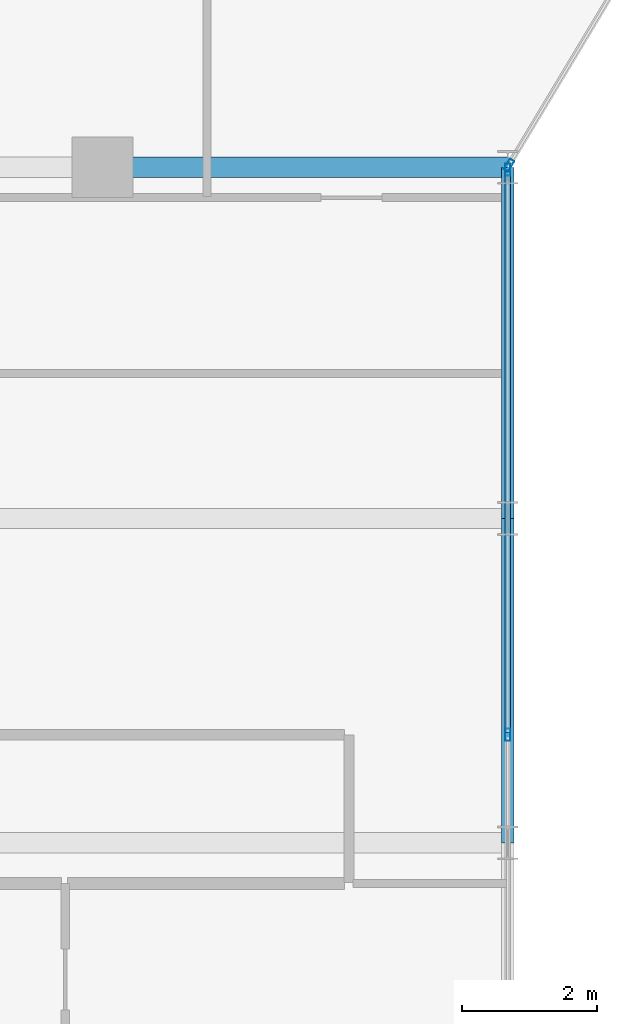
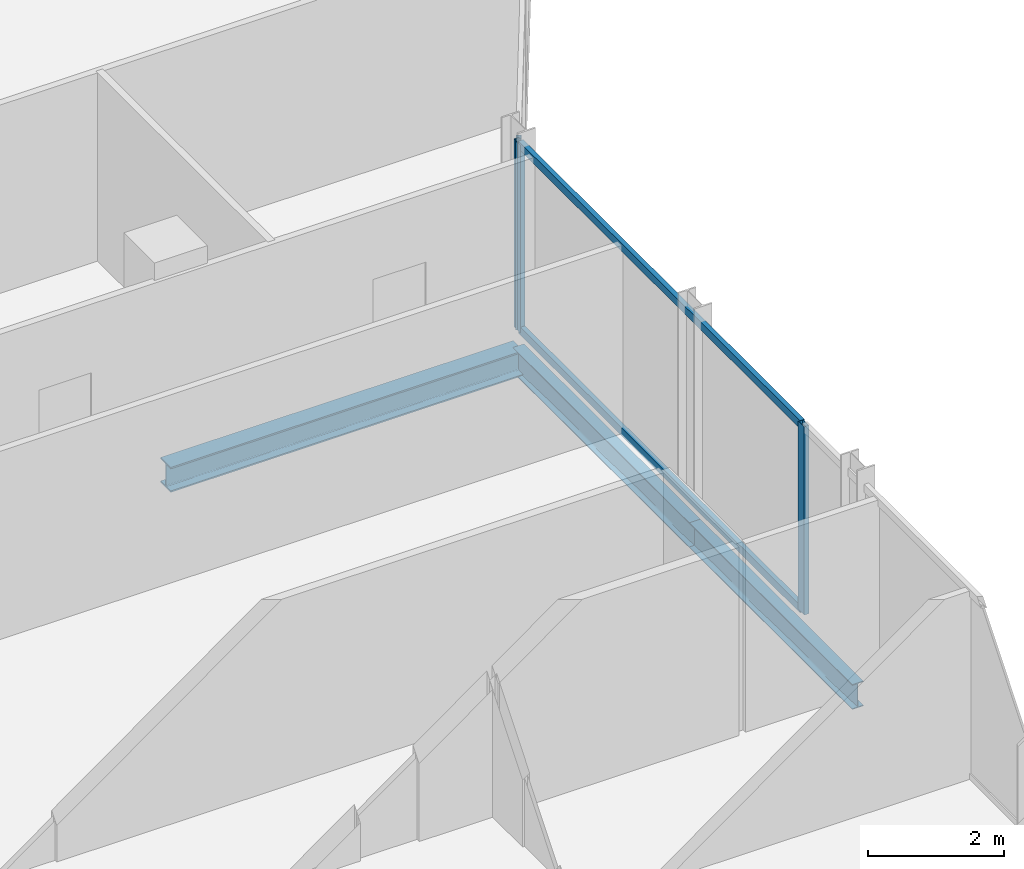
# One storey, part 13 of 31: 5 members, 3 beams, 2 elements without a shape of their own.
"""IFC4 building model written with IfcOpenShell, lengths in metres."""

import ifcopenshell
import ifcopenshell.guid

model = None  # the IFC model being written
_history = None  # IfcOwnerHistory: only IFC2X3 demands one
_inside = {}  # id of a spatial element -> (the spatial element, [elements in it])
_under = {}  # id of a project, library or spatial element -> (it, [spatial elements below it])
_declared = {}  # id of a project -> (the project, [libraries it declares])
_typed = {}  # id of a type object -> (the type object, [elements of that type])
_made_of = {}  # id of a material, layer set ... -> (it, [elements and type objects made of it])


def new_model(schema):
    """Start an empty IFC model of exactly this schema.

    Asked for "IFC4X3", IfcOpenShell would pick the latest addendum, in which some entities
    have other attributes; the version numbers below select the first issue.
    IFC2X3 requires an IfcOwnerHistory on every rooted entity: one is made here for all.
    """
    global model, _history
    if schema == "IFC4X3":
        model = ifcopenshell.file(schema_version=(4, 3, 0, 0))
    else:
        model = ifcopenshell.file(schema=schema)
    _inside.clear()
    _under.clear()
    _declared.clear()
    _typed.clear()
    _made_of.clear()
    _history = None
    if model.schema == "IFC2X3":
        org = make("IfcOrganization", Name="unknown")
        user = make(
            "IfcPersonAndOrganization",
            ThePerson=make("IfcPerson", FamilyName="unknown"),
            TheOrganization=org,
        )
        app = make(
            "IfcApplication",
            ApplicationDeveloper=org,
            Version="unknown",
            ApplicationFullName="unknown",
            ApplicationIdentifier="unknown",
        )
        _history = make(
            "IfcOwnerHistory",
            OwningUser=user,
            OwningApplication=app,
            ChangeAction="ADDED",
            CreationDate=0,
        )
    return model


def make(cls, **values):
    """One entity of the class cls with the attributes given. An attribute that is None is left unset."""
    return model.create_entity(
        cls, **{name: value for name, value in values.items() if value is not None}
    )


def rooted(cls, **values):
    """An entity with a GlobalId (a new one), such as an element, a storey or a relation."""
    return make(cls, GlobalId=ifcopenshell.guid.new(), OwnerHistory=_history, **values)


def si_unit(unit_type, name, prefix=None):
    """IfcSIUnit, for example si_unit("LENGTHUNIT", "METRE", prefix="MILLI")."""
    return make("IfcSIUnit", UnitType=unit_type, Prefix=prefix, Name=name)


def assignment(units):
    """IfcUnitAssignment: the units of a project."""
    return None if units is None else make("IfcUnitAssignment", Units=units)


def point(xyz):
    """IfcCartesianPoint."""
    return None if xyz is None else make("IfcCartesianPoint", Coordinates=xyz)


def direction(xyz):
    """IfcDirection."""
    return None if xyz is None else make("IfcDirection", DirectionRatios=xyz)


def frame(location, z_axis=None, x_axis=None):
    """IfcAxis2Placement3D, a coordinate frame: its origin and axes. An axis left out is left unset."""
    return make(
        "IfcAxis2Placement3D",
        Location=point(location),
        Axis=direction(z_axis),
        RefDirection=direction(x_axis),
    )


def frame_2d(location, x_axis=None):
    """IfcAxis2Placement2D, a coordinate frame in the plane: its origin and x axis."""
    return make(
        "IfcAxis2Placement2D", Location=point(location), RefDirection=direction(x_axis)
    )


def origin():
    """The frame at (0, 0, 0) with its axes left unset."""
    return frame((0.0, 0.0, 0.0))


def origin_2d():
    """The frame at (0, 0) in the plane with its x axis left unset."""
    return frame_2d((0.0, 0.0))


def place(relative_to, where):
    """IfcLocalPlacement: puts the frame where relative to a parent placement (None: the world)."""
    return make(
        "IfcLocalPlacement", PlacementRelTo=relative_to, RelativePlacement=where
    )


def context(
    kind, dimensions, precision=None, world=None, true_north=None, identifier=None
):
    """IfcGeometricRepresentationContext, for example the 3D "Model" context."""
    return make(
        "IfcGeometricRepresentationContext",
        ContextIdentifier=identifier,
        ContextType=kind,
        CoordinateSpaceDimension=dimensions,
        Precision=precision,
        WorldCoordinateSystem=world,
        TrueNorth=true_north,
    )


def subcontext(parent, identifier, kind, view, scale=None):
    """IfcGeometricRepresentationSubContext, for example "Body" below "Model"."""
    return make(
        "IfcGeometricRepresentationSubContext",
        ContextIdentifier=identifier,
        ContextType=kind,
        ParentContext=parent,
        TargetScale=scale,
        TargetView=view,
    )


def project(units=None, contexts=None):
    """IfcProject with its units and contexts."""
    return rooted(
        "IfcProject",
        Name="project",
        RepresentationContexts=contexts,
        UnitsInContext=assignment(units),
    )


def spatial(cls, under=None, at=None, **own):
    """A site, building, storey or space (cls), placed at a placement, below another one or the project."""
    s = rooted(cls, ObjectPlacement=at, **own)
    if under is not None:
        _under.setdefault(under.id(), (under, []))[1].append(s)
    return s


def profile(cls, at=None, kind="AREA", **sizes):
    """A parametric profile (cls). Its sizes go by their IFC names, for example OverallWidth=200.0."""
    return make(cls, ProfileType=kind, Position=at, **sizes)


def hollow_rectangle(**sizes):
    """IfcRectangleHollowProfileDef."""
    return profile("IfcRectangleHollowProfileDef", **sizes)


def i_section(**sizes):
    """IfcIShapeProfileDef."""
    return profile("IfcIShapeProfileDef", **sizes)


def extrude(swept, where, along, depth):
    """IfcExtrudedAreaSolid: the profile swept, set in the frame where, extruded along a direction by depth."""
    return make(
        "IfcExtrudedAreaSolid",
        SweptArea=swept,
        Position=where,
        ExtrudedDirection=direction(along),
        Depth=depth,
    )


def shape(context_of_items, identifier, shape_type, items):
    """IfcShapeRepresentation: the items that make up one representation, for example the "Body"."""
    return make(
        "IfcShapeRepresentation",
        ContextOfItems=context_of_items,
        RepresentationIdentifier=identifier,
        RepresentationType=shape_type,
        Items=items,
    )


def material(Name=None, Category=None):
    """IfcMaterial."""
    return make("IfcMaterial", Name=Name, Category=Category)


def layer(
    of_material, thickness, ventilated=None, Name=None, Category=None, Priority=None
):
    """IfcMaterialLayer: one layer of a wall or slab, of a material (None: an air gap)."""
    return make(
        "IfcMaterialLayer",
        Material=of_material,
        LayerThickness=thickness,
        IsVentilated=ventilated,
        Name=Name,
        Category=Category,
        Priority=Priority,
    )


def layer_set(layers, Name=None):
    """IfcMaterialLayerSet."""
    return make("IfcMaterialLayerSet", MaterialLayers=layers, LayerSetName=Name)


def material_profile(
    of_material, cross_section, Name=None, Category=None, Priority=None
):
    """IfcMaterialProfile: a cross section and its material."""
    return make(
        "IfcMaterialProfile",
        Name=Name,
        Material=of_material,
        Profile=cross_section,
        Priority=Priority,
        Category=Category,
    )


def profile_set(profiles, Name=None, composite=None):
    """IfcMaterialProfileSet."""
    return make(
        "IfcMaterialProfileSet",
        Name=Name,
        MaterialProfiles=profiles,
        CompositeProfile=composite,
    )


def made_of(thing, what):
    """Note that an element or type object is made of a material, layer set ...; save() writes the relation."""
    if what is not None:
        _made_of.setdefault(what.id(), (what, []))[1].append(thing)
    return thing


def type_object(cls, material=None, **own):
    """A type object (cls), such as IfcWallType, which elements share."""
    return made_of(rooted(cls, **own), material)


def element(
    cls,
    number,
    at=None,
    inside=None,
    cuts=None,
    type_object=None,
    material=None,
    context=None,
    identifier="Body",
    shape_type=None,
    held_by="IfcProductDefinitionShape",
    body=None,
    shapes=None,
    **own,
):
    """One element of the class cls, such as IfcWall. Its Tag is "e" and its number.

    at: its placement. inside: the storey or other place that contains it. cuts: it is an
    opening in that element (IfcRelVoidsElement). A single representation is given by context,
    identifier, shape_type and body (its items); several are given by shapes. held_by: the class
    of the entity that holds the representations. save() writes the other relations.
    """
    e = rooted(cls, Tag="e%d" % number, ObjectPlacement=at, **own)
    if body is not None:
        shapes = [shape(context, identifier, shape_type, body)]
    if shapes is not None:
        e.Representation = make(held_by, Representations=shapes)
    if inside is not None:
        _inside.setdefault(inside.id(), (inside, []))[1].append(e)
    if cuts is not None:
        rooted(
            "IfcRelVoidsElement", RelatingBuildingElement=cuts, RelatedOpeningElement=e
        )
    if type_object is not None:
        _typed.setdefault(type_object.id(), (type_object, []))[1].append(e)
    return made_of(e, material)


def aggregate(whole, parts):
    """IfcRelAggregates: a whole, such as a stair, and the parts it consists of."""
    return rooted("IfcRelAggregates", RelatingObject=whole, RelatedObjects=parts)


def save(model, path):
    """Write the relations noted so far, then the file.

    IfcRelAggregates (storeys below a building ...), IfcRelContainedInSpatialStructure (elements
    in a storey), IfcRelDefinesByType, IfcRelAssociatesMaterial and IfcRelDeclares: one each for
    every whole, place, type object, material and project.
    """
    for whole, parts in _under.values():
        aggregate(whole, parts)
    for where, things in _inside.values():
        rooted(
            "IfcRelContainedInSpatialStructure",
            RelatedElements=things,
            RelatingStructure=where,
        )
    for kind, things in _typed.values():
        rooted("IfcRelDefinesByType", RelatedObjects=things, RelatingType=kind)
    for what, things in _made_of.values():
        rooted("IfcRelAssociatesMaterial", RelatedObjects=things, RelatingMaterial=what)
    for by, libraries in _declared.values():
        rooted("IfcRelDeclares", RelatingContext=by, RelatedDefinitions=libraries)
    model.write(path)


model = new_model("IFC4")

# Units and contexts
model_context = context("Model", 3, precision=1e-05, world=origin(), true_north=direction((0.0, 1.0)))
body_context = subcontext(model_context, "Body", "Model", "MODEL_VIEW")
ifc_project = project(units=[si_unit("LENGTHUNIT", "METRE"), si_unit("AREAUNIT", "SQUARE_METRE"), si_unit("VOLUMEUNIT", "CUBIC_METRE"), si_unit("PLANEANGLEUNIT", "RADIAN"), si_unit("MASSUNIT", "GRAM", prefix="KILO")], contexts=[model_context])

# Site, building, storey
site_placement = place(None, origin())
site = spatial("IfcSite", under=ifc_project, at=site_placement, CompositionType="ELEMENT")
building_placement = place(site_placement, origin())
building = spatial("IfcBuilding", under=site, at=building_placement, Name="Keshet Zoharim Tower", CompositionType="ELEMENT")
storey_placement = place(building_placement, frame((0.0, 0.0, 144.60009765625)))
storey = spatial("IfcBuildingStorey", under=building, at=storey_placement, Name="L35", CompositionType="ELEMENT", Elevation=144.60009765625)

# Beams
ifc_material_1 = material(Name="Steel S355", Category="steel")
ifc_material_profile_1 = material_profile(ifc_material_1, i_section(OverallWidth=0.18994140625, OverallDepth=0.449951171875, WebThickness=0.009521484375, FlangeThickness=0.0146484375, FilletRadius=0.02099609375, at=origin_2d()), Name="IPE450")
ifc_profile_set_1 = profile_set([ifc_material_profile_1], Name="Steel S355")
beam_type_1 = type_object("IfcBeamType", Name="BM-PRI-IP450", PredefinedType="BEAM", material=ifc_profile_set_1)
beam_1_placement = place(storey_placement, frame((57.0, 17.89990234375, -0.5400390625), z_axis=(0.0, 1.0, 0.0), x_axis=(-1.0, 0.0, 0.0)))
element("IfcBeam", 1, at=beam_1_placement, inside=storey, type_object=beam_type_1, Name="L35 Primary Girder Y-015", PredefinedType="BEAM", context=body_context, shape_type="SweptSolid", body=[
    extrude(i_section(OverallWidth=0.18994140625, OverallDepth=0.449951171875, WebThickness=0.009521484375, FlangeThickness=0.0146484375, FilletRadius=0.02099609375, at=origin_2d()), origin(), (0.0, 0.0, 1.0), 4.800048828125),
])
beam_2_placement = place(storey_placement, frame((57.0, 22.699951171875, -0.5400390625), z_axis=(0.0, 1.0, 0.0), x_axis=(-1.0, 0.0, 0.0)))
element("IfcBeam", 2, at=beam_2_placement, inside=storey, type_object=beam_type_1, Name="L35 Primary Girder Y-016", PredefinedType="BEAM", context=body_context, shape_type="SweptSolid", body=[
    extrude(i_section(OverallWidth=0.18994140625, OverallDepth=0.449951171875, WebThickness=0.009521484375, FlangeThickness=0.0146484375, FilletRadius=0.02099609375, at=origin_2d()), origin(), (0.0, 0.0, 1.0), 5.199951171875),
])
ifc_material_profile_2 = material_profile(ifc_material_1, i_section(OverallWidth=0.300048828125, OverallDepth=0.449951171875, WebThickness=0.013916015625, FlangeThickness=0.02587890625, FilletRadius=0.027099609375, at=origin_2d()), Name="HEB450")
ifc_profile_set_2 = profile_set([ifc_material_profile_2], Name="Steel S355")
beam_type_2 = type_object("IfcBeamType", Name="BM-WEB-HB450", PredefinedType="BEAM", material=ifc_profile_set_2)
beam_3_placement = place(storey_placement, frame((51.0, 27.89990234375, -0.5400390625), z_axis=(1.0, 0.0, 0.0), x_axis=(0.0, 1.0, 0.0)))
element("IfcBeam", 3, at=beam_3_placement, inside=storey, type_object=beam_type_2, Name="L35 Primary Girder X-017", PredefinedType="BEAM", context=body_context, shape_type="SweptSolid", body=[
    extrude(i_section(OverallWidth=0.300048828125, OverallDepth=0.449951171875, WebThickness=0.013916015625, FlangeThickness=0.02587890625, FilletRadius=0.027099609375, at=origin_2d()), origin(), (0.0, 0.0, 1.0), 6.0),
])

# Curtain wall, member
ifc_material_2 = material(Name="Aluminium 6063-T6", Category="aluminium")
ifc_layer = layer(ifc_material_2, 0.159912109375)
ifc_layer_set = layer_set([ifc_layer], Name="Aluminium 6063-T6")
curtain_wall_type = type_object("IfcCurtainWallType", Name="CW-SYS-03", PredefinedType="NOTDEFINED", material=ifc_layer_set)
curtain_wall_1_placement = place(storey_placement, origin())
curtain_wall_1 = element("IfcCurtainWall", 4, at=curtain_wall_1_placement, inside=storey, type_object=curtain_wall_type, Name="L35 Unitised Curtain Wall 18", PredefinedType="NOTDEFINED")
ifc_material_profile_3 = material_profile(ifc_material_2, hollow_rectangle(XDim=0.080078125, YDim=0.179931640625, WallThickness=0.00439453125, at=origin_2d()), Name="MUL-80x180")
ifc_profile_set_3 = profile_set([ifc_material_profile_3], Name="Aluminium 6063-T6")
member_type_1 = type_object("IfcMemberType", Name="CWM-M18", PredefinedType="MULLION", material=ifc_profile_set_3)
member_1_placement = place(storey_placement, frame((57.01806640625, 27.929931640625, 0.0), z_axis=(0.0, 0.0, 1.0), x_axis=(0.857501477862, -0.514481501576, 0.0)))
member_1 = element("IfcMember", 5, at=member_1_placement, type_object=member_type_1, Name="CW-03 mullion 2", PredefinedType="MULLION", context=body_context, shape_type="SweptSolid", body=[
    extrude(hollow_rectangle(XDim=0.080078125, YDim=0.179931640625, WallThickness=0.00439453125, at=origin_2d()), origin(), (0.0, 0.0, 1.0), 3.385009765625),
])
aggregate(curtain_wall_1, [member_1])

# Curtain wall, members
curtain_wall_2_placement = place(storey_placement, origin())
curtain_wall_2 = element("IfcCurtainWall", 6, at=curtain_wall_2_placement, inside=storey, type_object=curtain_wall_type, Name="L35 Unitised Curtain Wall 19", PredefinedType="NOTDEFINED")
member_2_placement = place(storey_placement, frame((57.0, 27.864990234375, 0.0), z_axis=(0.0, 0.0, 1.0), x_axis=(1.0, 0.0, 0.0)))
member_2 = element("IfcMember", 7, at=member_2_placement, type_object=member_type_1, Name="CW-03 mullion 1", PredefinedType="MULLION", context=body_context, shape_type="SweptSolid", body=[
    extrude(hollow_rectangle(XDim=0.080078125, YDim=0.179931640625, WallThickness=0.00439453125, at=origin_2d()), origin(), (0.0, 0.0, 1.0), 3.385009765625),
])
member_3_placement = place(storey_placement, frame((57.0, 19.5, 0.0), z_axis=(0.0, 0.0, 1.0), x_axis=(1.0, 0.0, 0.0)))
member_3 = element("IfcMember", 8, at=member_3_placement, type_object=member_type_1, Name="CW-03 mullion 2", PredefinedType="MULLION", context=body_context, shape_type="SweptSolid", body=[
    extrude(hollow_rectangle(XDim=0.080078125, YDim=0.179931640625, WallThickness=0.00439453125, at=origin_2d()), origin(), (0.0, 0.0, 1.0), 3.385009765625),
])
ifc_material_profile_4 = material_profile(ifc_material_2, hollow_rectangle(XDim=0.080078125, YDim=0.139892578125, WallThickness=0.00390625, at=origin_2d()), Name="TRN-80x140")
ifc_profile_set_4 = profile_set([ifc_material_profile_4], Name="Aluminium 6063-T6")
member_type_2 = type_object("IfcMemberType", Name="CWT-T14", PredefinedType="USERDEFINED", material=ifc_profile_set_4)
member_4_placement = place(storey_placement, frame((57.0, 27.830078125, 0.034912109375), z_axis=(0.0, -1.0, 0.0), x_axis=(1.0, 0.0, 0.0)))
member_4 = element("IfcMember", 9, at=member_4_placement, type_object=member_type_2, Name="CW-03 transom 1.1", ObjectType="TRANSOM", PredefinedType="USERDEFINED", context=body_context, shape_type="SweptSolid", body=[
    extrude(hollow_rectangle(XDim=0.080078125, YDim=0.139892578125, WallThickness=0.00390625, at=origin_2d()), origin(), (0.0, 0.0, 1.0), 8.295166015625),
])
member_5_placement = place(storey_placement, frame((57.0, 27.830078125, 3.349853515625), z_axis=(0.0, -1.0, 0.0), x_axis=(1.0, 0.0, 0.0)))
member_5 = element("IfcMember", 10, at=member_5_placement, type_object=member_type_2, Name="CW-03 transom 1.2", ObjectType="TRANSOM", PredefinedType="USERDEFINED", context=body_context, shape_type="SweptSolid", body=[
    extrude(hollow_rectangle(XDim=0.080078125, YDim=0.139892578125, WallThickness=0.00390625, at=origin_2d()), origin(), (0.0, 0.0, 1.0), 8.295166015625),
])
aggregate(curtain_wall_2, [member_2, member_3, member_4, member_5])

save(model, "model.ifc")
